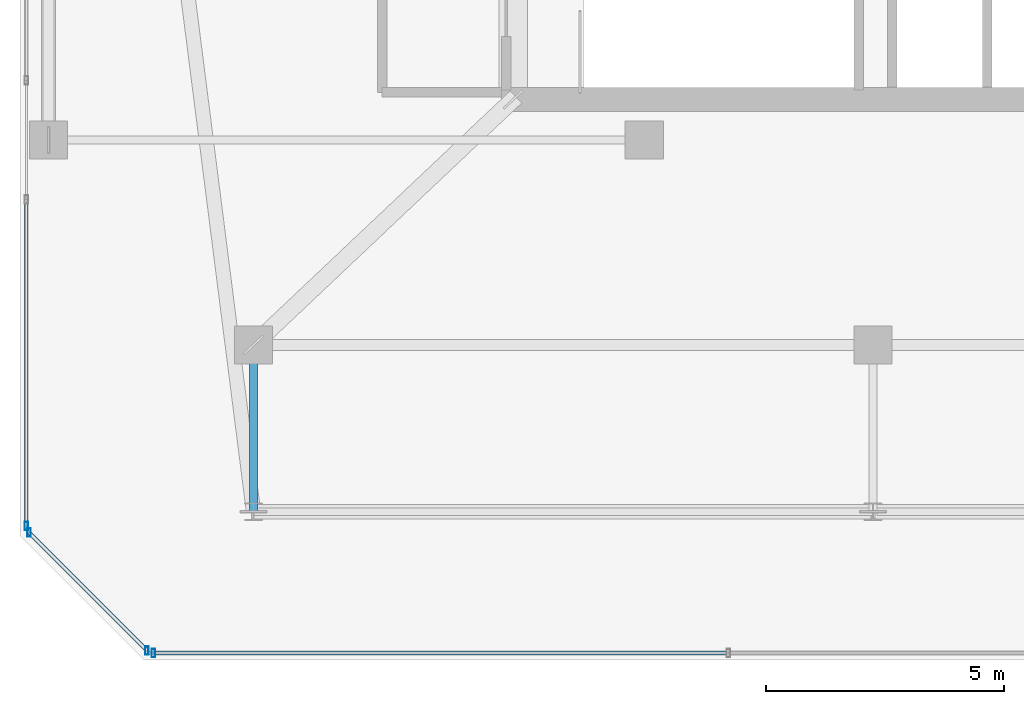
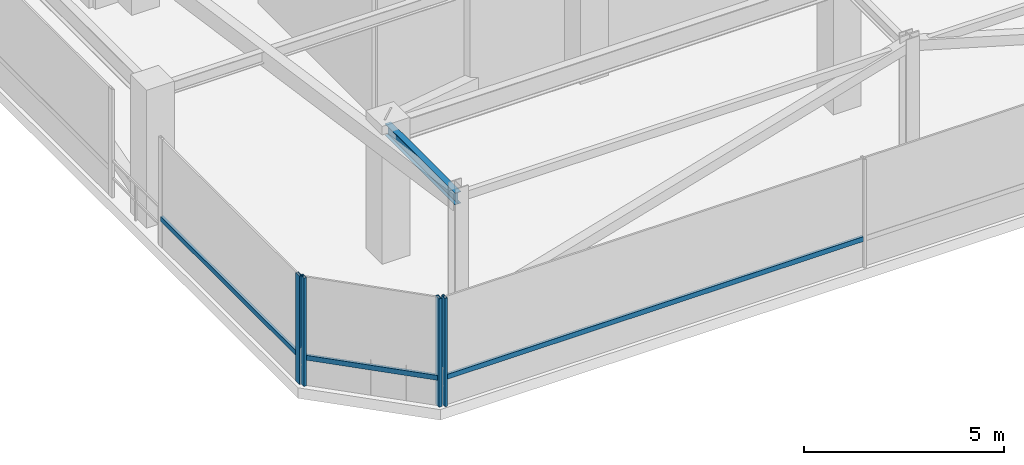
# One storey, part 5 of 47: 7 members, 1 beam, 3 elements without a shape of their own.
"""IFC4 building model written with IfcOpenShell, lengths in metres."""

from ifc_helpers import new_model, si_unit, direction, frame, origin, origin_2d, place, context, subcontext, project, spatial, hollow_rectangle, i_section, extrude, material, material_profile, profile_set, type_object, element, aggregate, save


model = new_model("IFC4")

# Units and contexts
model_context = context("Model", 3, precision=1e-05, world=origin(), true_north=direction((0.0, 1.0)))
body_context = subcontext(model_context, "Body", "Model", "MODEL_VIEW")
ifc_project = project(units=[si_unit("LENGTHUNIT", "METRE"), si_unit("AREAUNIT", "SQUARE_METRE"), si_unit("VOLUMEUNIT", "CUBIC_METRE"), si_unit("PLANEANGLEUNIT", "RADIAN"), si_unit("MASSUNIT", "GRAM", prefix="KILO")], contexts=[model_context])

# Site, building, storey
site_placement = place(None, origin())
site = spatial("IfcSite", under=ifc_project, at=site_placement, CompositionType="ELEMENT")
building_placement = place(site_placement, origin())
building = spatial("IfcBuilding", under=site, at=building_placement, Name="Thornwick Lancets Civic Towers", CompositionType="ELEMENT")
storey_placement = place(building_placement, frame((0.0, 0.0, 279.89990234375)))
storey = spatial("IfcBuildingStorey", under=building, at=storey_placement, Name="C01", CompositionType="ELEMENT", Elevation=279.89990234375)

# Beam
ifc_material_1 = material(Name="Steel S355JR", Category="steel")
ifc_material_profile_1 = material_profile(ifc_material_1, i_section(OverallWidth=0.173095703125, OverallDepth=0.36328125, WebThickness=0.009033203125, FlangeThickness=0.015625, FilletRadius=0.01025390625, at=origin_2d()), Name="UKB 356x171x67")
ifc_profile_set_1 = profile_set([ifc_material_profile_1], Name="Steel S355JR")
beam_type = type_object("IfcBeamType", Name="BM_JOIST_356_67", PredefinedType="JOIST", material=ifc_profile_set_1)
beam_placement = place(storey_placement, frame((12.5, 9.699951171875, 3.75830078125), z_axis=(0.0, -1.0, 0.0), x_axis=(1.0, 0.0, 0.0)))
element("IfcBeam", 1, at=beam_placement, inside=storey, type_object=beam_type, Name="BM-RAD-C01-A01", PredefinedType="JOIST", context=body_context, shape_type="SweptSolid", body=[
    extrude(i_section(OverallWidth=0.173095703125, OverallDepth=0.36328125, WebThickness=0.009033203125, FlangeThickness=0.015625, FilletRadius=0.01025390625, at=origin_2d()), origin(), (0.0, 0.0, 1.0), 3.5),
])

# Curtain wall, member
ifc_material_2 = material(Name="Crown ring acoustic-louvre and glazing screen wall", Category="glass")
curtain_wall_type = type_object("IfcCurtainWallType", Name="CW_SYS_07", PredefinedType="NOTDEFINED", material=ifc_material_2)
curtain_wall_1_placement = place(storey_placement, origin())
curtain_wall_1 = element("IfcCurtainWall", 2, at=curtain_wall_1_placement, inside=storey, type_object=curtain_wall_type, Name="C01 Curtain Wall CW-C01-A-E0", PredefinedType="NOTDEFINED")
ifc_material_3 = material(Name="Thermally broken bronze aluminium S355", Category="steel")
ifc_material_profile_2 = material_profile(ifc_material_3, hollow_rectangle(XDim=0.074951171875, YDim=0.179931640625, WallThickness=0.006103515625, at=origin_2d()), Name="RHS 180x75x6")
ifc_profile_set_2 = profile_set([ifc_material_profile_2], Name="Thermally broken bronze aluminium S355")
member_type_1 = type_object("IfcMemberType", Name="CW_MUL_180", PredefinedType="MULLION", material=ifc_profile_set_2)
member_1_placement = place(storey_placement, frame((10.398681640625, 3.2353515625, 0.0), z_axis=(0.0, 0.0, 1.0), x_axis=(1.0, 0.0, 0.0)))
member_1 = element("IfcMember", 3, at=member_1_placement, type_object=member_type_1, Name="CW-C01-A-E0 Mullion 0", PredefinedType="MULLION", context=body_context, shape_type="SweptSolid", body=[
    extrude(hollow_rectangle(XDim=0.074951171875, YDim=0.179931640625, WallThickness=0.006103515625, at=origin_2d()), origin(), (0.0, 0.0, 1.0), 3.300048828125),
])

curtain_wall_2_placement = place(storey_placement, origin())
curtain_wall_2 = element("IfcCurtainWall", 4, at=curtain_wall_2_placement, inside=storey, type_object=curtain_wall_type, Name="C01 Curtain Wall CW-C01-A-E6-S3", PredefinedType="NOTDEFINED")
member_2_placement = place(storey_placement, frame((7.7353515625, 5.898681640625, 0.0), z_axis=(0.0, 0.0, 1.0), x_axis=(1.0, 0.0, 0.0)))
member_2 = element("IfcMember", 5, at=member_2_placement, type_object=member_type_1, Name="CW-C01-A-E6-S3 Mullion 1", PredefinedType="MULLION", context=body_context, shape_type="SweptSolid", body=[
    extrude(hollow_rectangle(XDim=0.074951171875, YDim=0.179931640625, WallThickness=0.006103515625, at=origin_2d()), origin(), (0.0, 0.0, 1.0), 3.300048828125),
])

# Curtain wall, members
curtain_wall_3_placement = place(storey_placement, origin())
curtain_wall_3 = element("IfcCurtainWall", 6, at=curtain_wall_3_placement, inside=storey, type_object=curtain_wall_type, Name="C01 Curtain Wall CW-C01-A-E7", PredefinedType="NOTDEFINED")
member_3_placement = place(storey_placement, frame((7.7919921875, 5.761962890625, 0.0), z_axis=(0.0, 0.0, 1.0), x_axis=(1.0, 0.0, 0.0)))
member_3 = element("IfcMember", 7, at=member_3_placement, type_object=member_type_1, Name="CW-C01-A-E7 Mullion 0", PredefinedType="MULLION", context=body_context, shape_type="SweptSolid", body=[
    extrude(hollow_rectangle(XDim=0.074951171875, YDim=0.179931640625, WallThickness=0.006103515625, at=origin_2d()), origin(), (0.0, 0.0, 1.0), 3.300048828125),
])
member_4_placement = place(storey_placement, frame((10.261962890625, 3.2919921875, 0.0), z_axis=(0.0, 0.0, 1.0), x_axis=(1.0, 0.0, 0.0)))
member_4 = element("IfcMember", 8, at=member_4_placement, type_object=member_type_1, Name="CW-C01-A-E7 Mullion 1", PredefinedType="MULLION", context=body_context, shape_type="SweptSolid", body=[
    extrude(hollow_rectangle(XDim=0.074951171875, YDim=0.179931640625, WallThickness=0.006103515625, at=origin_2d()), origin(), (0.0, 0.0, 1.0), 3.300048828125),
])

# Member
ifc_material_profile_3 = material_profile(ifc_material_3, hollow_rectangle(XDim=0.074951171875, YDim=0.14990234375, WallThickness=0.0048828125, at=origin_2d()), Name="RHS 150x75x5")
ifc_profile_set_3 = profile_set([ifc_material_profile_3], Name="Thermally broken bronze aluminium S355")
member_type_2 = type_object("IfcMemberType", Name="CW_TRN_150", PredefinedType="USERDEFINED", material=ifc_profile_set_3)
member_5_placement = place(storey_placement, frame((10.418701171875, 3.2353515625, 0.85009765625), z_axis=(1.0, 0.0, 0.0), x_axis=(0.0, 1.0, 0.0)))
member_5 = element("IfcMember", 9, at=member_5_placement, type_object=member_type_2, Name="CW-C01-A-E0 Transom 0", ObjectType="TRANSOM", PredefinedType="USERDEFINED", context=body_context, shape_type="SweptSolid", body=[
    extrude(hollow_rectangle(XDim=0.074951171875, YDim=0.14990234375, WallThickness=0.0048828125, at=origin_2d()), origin(), (0.0, 0.0, 1.0), 12.027587890625),
])

aggregate(curtain_wall_1, [member_1, member_5])

member_6_placement = place(storey_placement, frame((7.7353515625, 12.72998046875, 0.85009765625), z_axis=(0.0, -1.0, 0.0), x_axis=(1.0, 0.0, 0.0)))
member_6 = element("IfcMember", 10, at=member_6_placement, type_object=member_type_2, Name="CW-C01-A-E6-S3 Transom 0", ObjectType="TRANSOM", PredefinedType="USERDEFINED", context=body_context, shape_type="SweptSolid", body=[
    extrude(hollow_rectangle(XDim=0.074951171875, YDim=0.14990234375, WallThickness=0.0048828125, at=origin_2d()), origin(), (0.0, 0.0, 1.0), 6.811279296875),
])

aggregate(curtain_wall_2, [member_2, member_6])

member_7_placement = place(storey_placement, frame((7.80615234375, 5.747802734375, 0.85009765625), z_axis=(0.707106781187, -0.707106781187, 0.0), x_axis=(0.707106781187, 0.707106781187, 0.0)))
member_7 = element("IfcMember", 11, at=member_7_placement, type_object=member_type_2, Name="CW-C01-A-E7 Transom 0", ObjectType="TRANSOM", PredefinedType="USERDEFINED", context=body_context, shape_type="SweptSolid", body=[
    extrude(hollow_rectangle(XDim=0.074951171875, YDim=0.14990234375, WallThickness=0.0048828125, at=origin_2d()), origin(), (0.0, 0.0, 1.0), 3.453125),
])

aggregate(curtain_wall_3, [member_3, member_4, member_7])

save(model, "model.ifc")
